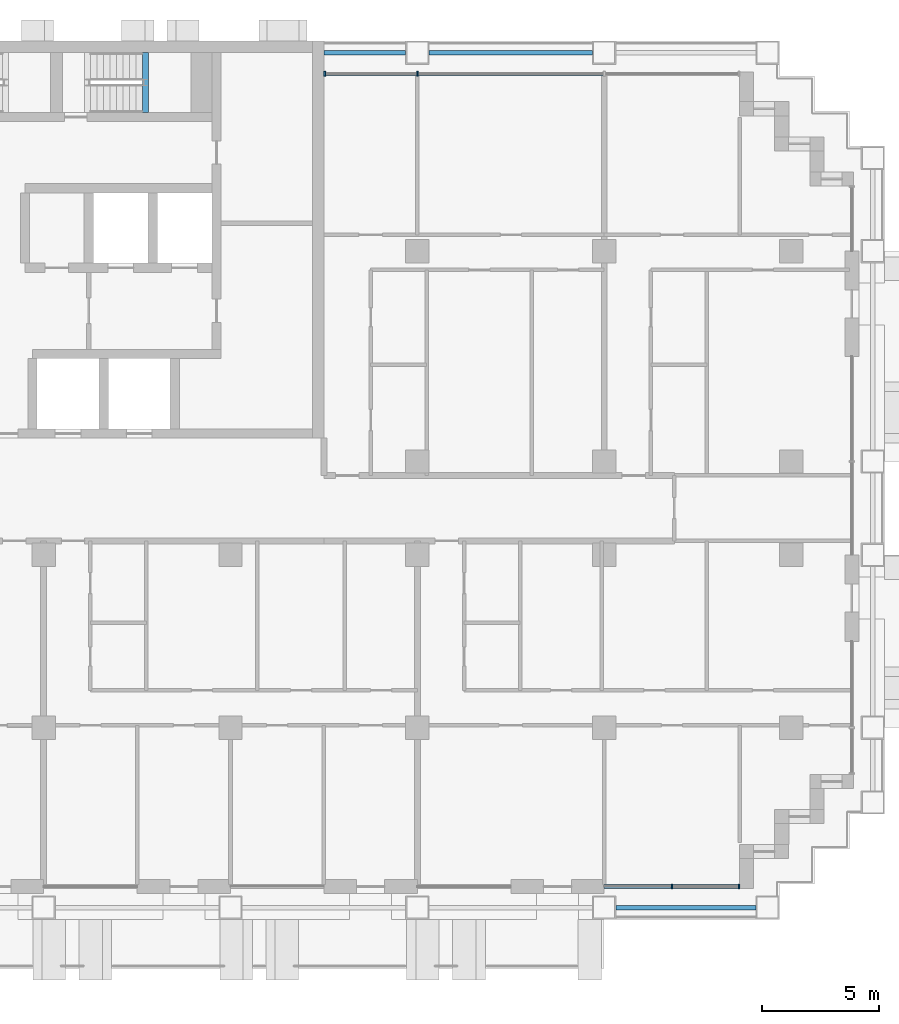
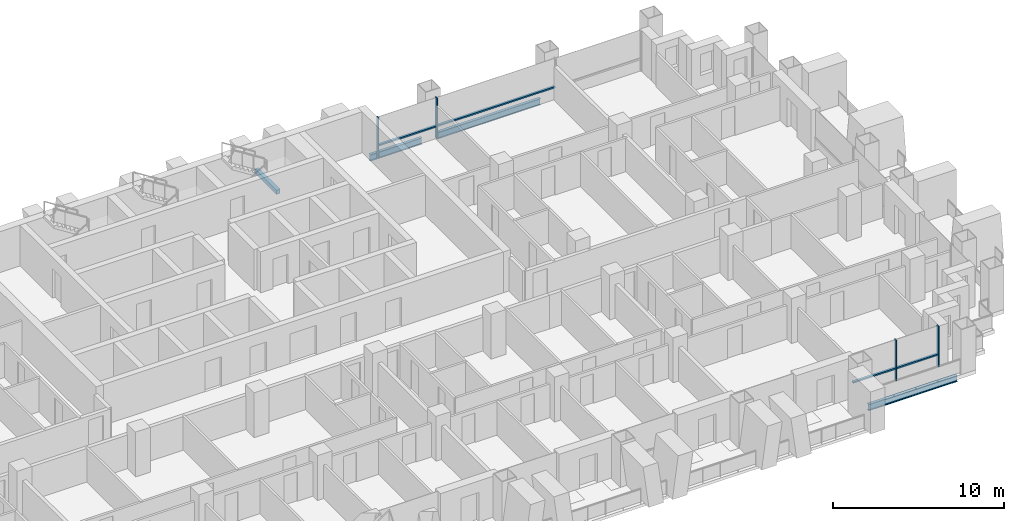
# One storey, part 5 of 18: 8 members, 4 beams, 2 elements without a shape of their own.
"""IFC4 building model written with IfcOpenShell, lengths in metres."""

from ifc_helpers import new_model, si_unit, direction, frame, origin, origin_2d, place, context, subcontext, project, spatial, rectangle, i_section, extrude, material, material_profile, profile_set, type_object, element, aggregate, save


model = new_model("IFC4")

# Units and contexts
model_context = context("Model", 3, precision=1e-05, world=origin(), true_north=direction((0.0, 1.0)))
body_context = subcontext(model_context, "Body", "Model", "MODEL_VIEW")
ifc_project = project(units=[si_unit("LENGTHUNIT", "METRE"), si_unit("AREAUNIT", "SQUARE_METRE"), si_unit("VOLUMEUNIT", "CUBIC_METRE"), si_unit("PLANEANGLEUNIT", "RADIAN"), si_unit("MASSUNIT", "GRAM", prefix="KILO")], contexts=[model_context])

# Site, building, storey
site_placement = place(None, origin())
site = spatial("IfcSite", under=ifc_project, at=site_placement, CompositionType="ELEMENT")
building_placement = place(site_placement, origin())
building = spatial("IfcBuilding", under=site, at=building_placement, Name="Vidyagriha Tower", CompositionType="ELEMENT")
storey_placement = place(building_placement, frame((0.0, 0.0, 48.0)))
storey = spatial("IfcBuildingStorey", under=building, at=storey_placement, Name="L12", CompositionType="ELEMENT", Elevation=48.0)

# Beams
ifc_material_1 = material(Name="Steel ASTM A992 Grade 50", Category="steel")
ifc_material_profile_1 = material_profile(ifc_material_1, i_section(OverallWidth=0.19189453125, OverallDepth=0.46240234375, WebThickness=0.010498046875, FlangeThickness=0.017578125, at=origin_2d()), Name="W18X60")
ifc_profile_set_1 = profile_set([ifc_material_profile_1], Name="Steel ASTM A992 Grade 50")
beam_type_1 = type_object("IfcBeamType", Name="Edge beam W18X60", PredefinedType="SPANDREL", material=ifc_profile_set_1)
beam_1_placement = place(storey_placement, frame((26.5, -17.10009765625, -0.51123046875), z_axis=(1.0, 0.0, 0.0), x_axis=(0.0, 1.0, 0.0)))
element("IfcBeam", 1, at=beam_1_placement, inside=storey, type_object=beam_type_1, Name="st-beam-L12-S09", PredefinedType="SPANDREL", context=body_context, shape_type="SweptSolid", body=[
    extrude(i_section(OverallWidth=0.19189453125, OverallDepth=0.46240234375, WebThickness=0.010498046875, FlangeThickness=0.017578125, at=origin_2d()), origin(), (0.0, 0.0, 1.0), 6.0),
])
beam_2_placement = place(storey_placement, frame((18.5, 19.5, -0.51123046875), z_axis=(1.0, 0.0, 0.0), x_axis=(0.0, 1.0, 0.0)))
element("IfcBeam", 2, at=beam_2_placement, inside=storey, type_object=beam_type_1, Name="st-beam-L12-NE22", PredefinedType="SPANDREL", context=body_context, shape_type="SweptSolid", body=[
    extrude(i_section(OverallWidth=0.19189453125, OverallDepth=0.46240234375, WebThickness=0.010498046875, FlangeThickness=0.017578125, at=origin_2d()), origin(), (0.0, 0.0, 1.0), 7.0),
])
beam_3_placement = place(storey_placement, frame((14.0, 19.5, -0.51123046875), z_axis=(1.0, 0.0, 0.0), x_axis=(0.0, 1.0, 0.0)))
element("IfcBeam", 3, at=beam_3_placement, inside=storey, type_object=beam_type_1, Name="st-beam-L12-NC25", PredefinedType="SPANDREL", context=body_context, shape_type="SweptSolid", body=[
    extrude(i_section(OverallWidth=0.19189453125, OverallDepth=0.46240234375, WebThickness=0.010498046875, FlangeThickness=0.017578125, at=origin_2d()), origin(), (0.0, 0.0, 1.0), 3.5),
])

# Curtain wall, members
ifc_material_2 = material(Name="Aluminium and glass curtain wall", Category="aluminium")
curtain_wall_type = type_object("IfcCurtainWallType", Name="Dwelling skin unitised curtain wall", PredefinedType="USERDEFINED", material=ifc_material_2)
curtain_wall_1_placement = place(storey_placement, origin())
curtain_wall_1 = element("IfcCurtainWall", 4, at=curtain_wall_1_placement, inside=storey, type_object=curtain_wall_type, Name="CW1 dwelling skin", ObjectType="UNITISED", PredefinedType="USERDEFINED")
ifc_material_3 = material(Name="Aluminium black anodised", Category="aluminium")
ifc_material_profile_2 = material_profile(ifc_material_3, rectangle(XDim=0.199951171875, YDim=0.070068359375, at=origin_2d()), Name="Mullion 70x200 black aluminium")
ifc_profile_set_2 = profile_set([ifc_material_profile_2], Name="Aluminium black anodised")
member_type_1 = type_object("IfcMemberType", Name="Mullion 70x200 black aluminium", PredefinedType="MULLION", material=ifc_profile_set_2)
member_1_placement = place(storey_placement, frame((18.0, 18.60009765625, 0.0), z_axis=(0.0, 0.0, 1.0), x_axis=(0.0, -1.0, 0.0)))
member_1 = element("IfcMember", 5, at=member_1_placement, type_object=member_type_1, Name="CW1 mullion 3", PredefinedType="MULLION", context=body_context, shape_type="SweptSolid", body=[
    extrude(rectangle(XDim=0.199951171875, YDim=0.070068359375, at=origin_2d()), origin(), (0.0, 0.0, 1.0), 2.919921875),
])
member_2_placement = place(storey_placement, frame((14.034912109375, 18.60009765625, 0.0), z_axis=(0.0, 0.0, 1.0), x_axis=(0.0, -1.0, 0.0)))
member_2 = element("IfcMember", 6, at=member_2_placement, type_object=member_type_1, Name="CW1 mullion 4", PredefinedType="MULLION", context=body_context, shape_type="SweptSolid", body=[
    extrude(rectangle(XDim=0.199951171875, YDim=0.070068359375, at=origin_2d()), origin(), (0.0, 0.0, 1.0), 2.919921875),
])

curtain_wall_2_placement = place(storey_placement, origin())
curtain_wall_2 = element("IfcCurtainWall", 7, at=curtain_wall_2_placement, inside=storey, type_object=curtain_wall_type, Name="CW1 dwelling skin", ObjectType="UNITISED", PredefinedType="USERDEFINED")
member_3_placement = place(storey_placement, frame((28.89990234375, -16.199951171875, 0.0), z_axis=(0.0, 0.0, 1.0), x_axis=(0.0, 1.0, 0.0)))
member_3 = element("IfcMember", 8, at=member_3_placement, type_object=member_type_1, Name="CW1 mullion 2", PredefinedType="MULLION", context=body_context, shape_type="SweptSolid", body=[
    extrude(rectangle(XDim=0.199951171875, YDim=0.070068359375, at=origin_2d()), origin(), (0.0, 0.0, 1.0), 2.919921875),
])
member_4_placement = place(storey_placement, frame((31.764892578125, -16.199951171875, 0.0), z_axis=(0.0, 0.0, 1.0), x_axis=(0.0, 1.0, 0.0)))
member_4 = element("IfcMember", 9, at=member_4_placement, type_object=member_type_1, Name="CW1 mullion 3", PredefinedType="MULLION", context=body_context, shape_type="SweptSolid", body=[
    extrude(rectangle(XDim=0.199951171875, YDim=0.070068359375, at=origin_2d()), origin(), (0.0, 0.0, 1.0), 2.919921875),
])

# Beam
ifc_material_4 = material(Name="Concrete C40/50", Category="concrete")
ifc_material_profile_3 = material_profile(ifc_material_4, rectangle(XDim=0.25, YDim=0.300048828125, at=origin_2d()), Name="Stair landing bearing beam 250x300")
ifc_profile_set_3 = profile_set([ifc_material_profile_3], Name="Concrete C40/50")
beam_type_2 = type_object("IfcBeamType", Name="Stair landing bearing beam 250x300", PredefinedType="BEAM", material=ifc_profile_set_3)
beam_4_placement = place(storey_placement, frame((6.364990234375, 16.949951171875, 1.25), z_axis=(0.0, 1.0, 0.0), x_axis=(-1.0, 0.0, 0.0)))
element("IfcBeam", 10, at=beam_4_placement, inside=storey, type_object=beam_type_2, Name="ST3 landing bearing beam L12", PredefinedType="BEAM", context=body_context, shape_type="SweptSolid", body=[
    extrude(rectangle(XDim=0.25, YDim=0.300048828125, at=origin_2d()), origin(), (0.0, 0.0, 1.0), 2.550048828125),
])

# Member
ifc_material_5 = material(Name="Aluminium black anodised", Category="aluminium")
ifc_material_profile_4 = material_profile(ifc_material_5, rectangle(XDim=0.159912109375, YDim=0.10009765625, at=origin_2d()), Name="Transom 100x160 black aluminium")
ifc_profile_set_4 = profile_set([ifc_material_profile_4], Name="Aluminium black anodised")
member_type_2 = type_object("IfcMemberType", Name="Transom 100x160 black aluminium", PredefinedType="USERDEFINED", material=ifc_profile_set_4)
member_5_placement = place(storey_placement, frame((25.965087890625, 18.60009765625, 0.89990234375), z_axis=(-1.0, 0.0, 0.0), x_axis=(0.0, -1.0, 0.0)))
member_5 = element("IfcMember", 11, at=member_5_placement, type_object=member_type_2, Name="CW1 transom 2.1", ObjectType="TRANSOM", PredefinedType="USERDEFINED", context=body_context, shape_type="SweptSolid", body=[
    extrude(rectangle(XDim=0.159912109375, YDim=0.10009765625, at=origin_2d()), origin(), (0.0, 0.0, 1.0), 7.93017578125),
])

member_6_placement = place(storey_placement, frame((17.965087890625, 18.60009765625, 0.89990234375), z_axis=(-1.0, 0.0, 0.0), x_axis=(0.0, -1.0, 0.0)))
member_6 = element("IfcMember", 12, at=member_6_placement, type_object=member_type_2, Name="CW1 transom 3.1", ObjectType="TRANSOM", PredefinedType="USERDEFINED", context=body_context, shape_type="SweptSolid", body=[
    extrude(rectangle(XDim=0.159912109375, YDim=0.10009765625, at=origin_2d()), origin(), (0.0, 0.0, 1.0), 3.89501953125),
])

aggregate(curtain_wall_1, [member_1, member_2, member_5, member_6])

member_7_placement = place(storey_placement, frame((26.0, -16.199951171875, 0.89990234375), z_axis=(1.0, 0.0, 0.0), x_axis=(0.0, 1.0, 0.0)))
member_7 = element("IfcMember", 13, at=member_7_placement, type_object=member_type_2, Name="CW1 transom 1.1", ObjectType="TRANSOM", PredefinedType="USERDEFINED", context=body_context, shape_type="SweptSolid", body=[
    extrude(rectangle(XDim=0.159912109375, YDim=0.10009765625, at=origin_2d()), origin(), (0.0, 0.0, 1.0), 2.864990234375),
])

member_8_placement = place(storey_placement, frame((28.93505859375, -16.199951171875, 0.89990234375), z_axis=(1.0, 0.0, 0.0), x_axis=(0.0, 1.0, 0.0)))
member_8 = element("IfcMember", 14, at=member_8_placement, type_object=member_type_2, Name="CW1 transom 2.1", ObjectType="TRANSOM", PredefinedType="USERDEFINED", context=body_context, shape_type="SweptSolid", body=[
    extrude(rectangle(XDim=0.159912109375, YDim=0.10009765625, at=origin_2d()), origin(), (0.0, 0.0, 1.0), 2.794921875),
])

aggregate(curtain_wall_2, [member_3, member_4, member_7, member_8])

save(model, "model.ifc")
